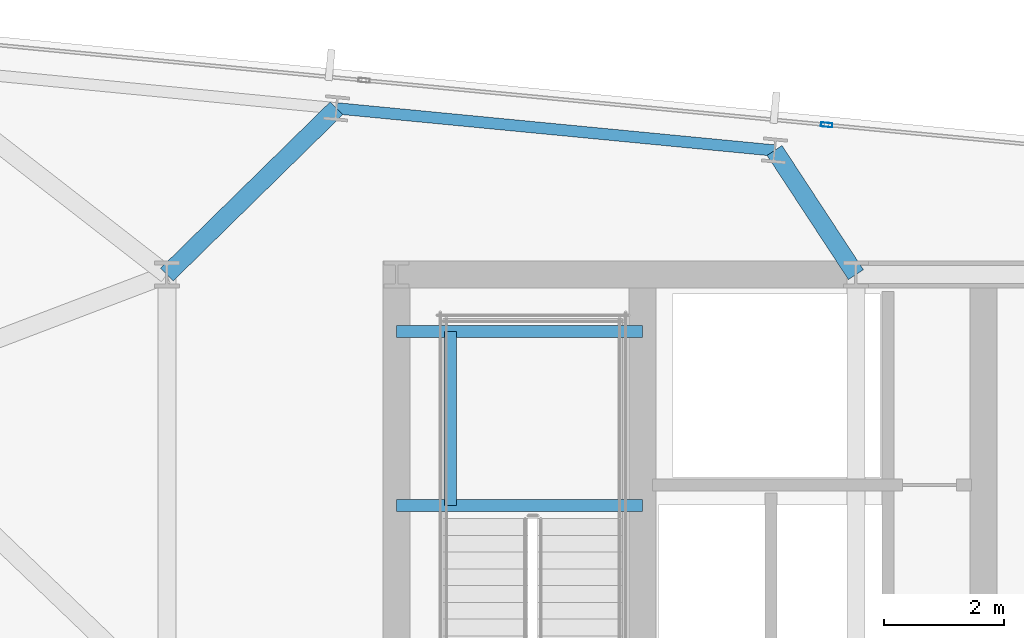
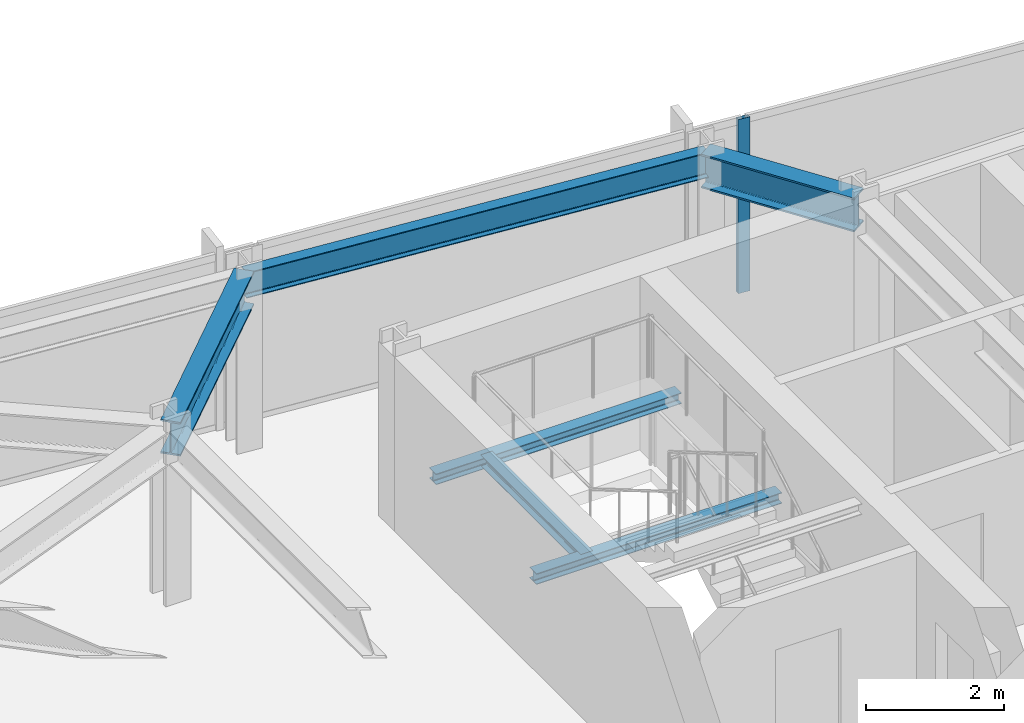
# One storey, part 24 of 37: 6 beams, 1 member, 1 element without a shape of its own.
"""IFC4 building model written with IfcOpenShell, lengths in metres."""

import ifcopenshell
import ifcopenshell.guid

model = None  # the IFC model being written
_history = None  # IfcOwnerHistory: only IFC2X3 demands one
_inside = {}  # id of a spatial element -> (the spatial element, [elements in it])
_under = {}  # id of a project, library or spatial element -> (it, [spatial elements below it])
_declared = {}  # id of a project -> (the project, [libraries it declares])
_typed = {}  # id of a type object -> (the type object, [elements of that type])
_made_of = {}  # id of a material, layer set ... -> (it, [elements and type objects made of it])


def new_model(schema):
    """Start an empty IFC model of exactly this schema.

    Asked for "IFC4X3", IfcOpenShell would pick the latest addendum, in which some entities
    have other attributes; the version numbers below select the first issue.
    IFC2X3 requires an IfcOwnerHistory on every rooted entity: one is made here for all.
    """
    global model, _history
    if schema == "IFC4X3":
        model = ifcopenshell.file(schema_version=(4, 3, 0, 0))
    else:
        model = ifcopenshell.file(schema=schema)
    _inside.clear()
    _under.clear()
    _declared.clear()
    _typed.clear()
    _made_of.clear()
    _history = None
    if model.schema == "IFC2X3":
        org = make("IfcOrganization", Name="unknown")
        user = make(
            "IfcPersonAndOrganization",
            ThePerson=make("IfcPerson", FamilyName="unknown"),
            TheOrganization=org,
        )
        app = make(
            "IfcApplication",
            ApplicationDeveloper=org,
            Version="unknown",
            ApplicationFullName="unknown",
            ApplicationIdentifier="unknown",
        )
        _history = make(
            "IfcOwnerHistory",
            OwningUser=user,
            OwningApplication=app,
            ChangeAction="ADDED",
            CreationDate=0,
        )
    return model


def make(cls, **values):
    """One entity of the class cls with the attributes given. An attribute that is None is left unset."""
    return model.create_entity(
        cls, **{name: value for name, value in values.items() if value is not None}
    )


def rooted(cls, **values):
    """An entity with a GlobalId (a new one), such as an element, a storey or a relation."""
    return make(cls, GlobalId=ifcopenshell.guid.new(), OwnerHistory=_history, **values)


def si_unit(unit_type, name, prefix=None):
    """IfcSIUnit, for example si_unit("LENGTHUNIT", "METRE", prefix="MILLI")."""
    return make("IfcSIUnit", UnitType=unit_type, Prefix=prefix, Name=name)


def assignment(units):
    """IfcUnitAssignment: the units of a project."""
    return None if units is None else make("IfcUnitAssignment", Units=units)


def point(xyz):
    """IfcCartesianPoint."""
    return None if xyz is None else make("IfcCartesianPoint", Coordinates=xyz)


def direction(xyz):
    """IfcDirection."""
    return None if xyz is None else make("IfcDirection", DirectionRatios=xyz)


def frame(location, z_axis=None, x_axis=None):
    """IfcAxis2Placement3D, a coordinate frame: its origin and axes. An axis left out is left unset."""
    return make(
        "IfcAxis2Placement3D",
        Location=point(location),
        Axis=direction(z_axis),
        RefDirection=direction(x_axis),
    )


def frame_2d(location, x_axis=None):
    """IfcAxis2Placement2D, a coordinate frame in the plane: its origin and x axis."""
    return make(
        "IfcAxis2Placement2D", Location=point(location), RefDirection=direction(x_axis)
    )


def origin():
    """The frame at (0, 0, 0) with its axes left unset."""
    return frame((0.0, 0.0, 0.0))


def origin_2d():
    """The frame at (0, 0) in the plane with its x axis left unset."""
    return frame_2d((0.0, 0.0))


def place(relative_to, where):
    """IfcLocalPlacement: puts the frame where relative to a parent placement (None: the world)."""
    return make(
        "IfcLocalPlacement", PlacementRelTo=relative_to, RelativePlacement=where
    )


def context(
    kind, dimensions, precision=None, world=None, true_north=None, identifier=None
):
    """IfcGeometricRepresentationContext, for example the 3D "Model" context."""
    return make(
        "IfcGeometricRepresentationContext",
        ContextIdentifier=identifier,
        ContextType=kind,
        CoordinateSpaceDimension=dimensions,
        Precision=precision,
        WorldCoordinateSystem=world,
        TrueNorth=true_north,
    )


def subcontext(parent, identifier, kind, view, scale=None):
    """IfcGeometricRepresentationSubContext, for example "Body" below "Model"."""
    return make(
        "IfcGeometricRepresentationSubContext",
        ContextIdentifier=identifier,
        ContextType=kind,
        ParentContext=parent,
        TargetScale=scale,
        TargetView=view,
    )


def project(units=None, contexts=None):
    """IfcProject with its units and contexts."""
    return rooted(
        "IfcProject",
        Name="project",
        RepresentationContexts=contexts,
        UnitsInContext=assignment(units),
    )


def spatial(cls, under=None, at=None, **own):
    """A site, building, storey or space (cls), placed at a placement, below another one or the project."""
    s = rooted(cls, ObjectPlacement=at, **own)
    if under is not None:
        _under.setdefault(under.id(), (under, []))[1].append(s)
    return s


def profile(cls, at=None, kind="AREA", **sizes):
    """A parametric profile (cls). Its sizes go by their IFC names, for example OverallWidth=200.0."""
    return make(cls, ProfileType=kind, Position=at, **sizes)


def hollow_rectangle(**sizes):
    """IfcRectangleHollowProfileDef."""
    return profile("IfcRectangleHollowProfileDef", **sizes)


def i_section(**sizes):
    """IfcIShapeProfileDef."""
    return profile("IfcIShapeProfileDef", **sizes)


def extrude(swept, where, along, depth):
    """IfcExtrudedAreaSolid: the profile swept, set in the frame where, extruded along a direction by depth."""
    return make(
        "IfcExtrudedAreaSolid",
        SweptArea=swept,
        Position=where,
        ExtrudedDirection=direction(along),
        Depth=depth,
    )


def shape(context_of_items, identifier, shape_type, items):
    """IfcShapeRepresentation: the items that make up one representation, for example the "Body"."""
    return make(
        "IfcShapeRepresentation",
        ContextOfItems=context_of_items,
        RepresentationIdentifier=identifier,
        RepresentationType=shape_type,
        Items=items,
    )


def material(Name=None, Category=None):
    """IfcMaterial."""
    return make("IfcMaterial", Name=Name, Category=Category)


def material_profile(
    of_material, cross_section, Name=None, Category=None, Priority=None
):
    """IfcMaterialProfile: a cross section and its material."""
    return make(
        "IfcMaterialProfile",
        Name=Name,
        Material=of_material,
        Profile=cross_section,
        Priority=Priority,
        Category=Category,
    )


def profile_set(profiles, Name=None, composite=None):
    """IfcMaterialProfileSet."""
    return make(
        "IfcMaterialProfileSet",
        Name=Name,
        MaterialProfiles=profiles,
        CompositeProfile=composite,
    )


def made_of(thing, what):
    """Note that an element or type object is made of a material, layer set ...; save() writes the relation."""
    if what is not None:
        _made_of.setdefault(what.id(), (what, []))[1].append(thing)
    return thing


def type_object(cls, material=None, **own):
    """A type object (cls), such as IfcWallType, which elements share."""
    return made_of(rooted(cls, **own), material)


def element(
    cls,
    number,
    at=None,
    inside=None,
    cuts=None,
    type_object=None,
    material=None,
    context=None,
    identifier="Body",
    shape_type=None,
    held_by="IfcProductDefinitionShape",
    body=None,
    shapes=None,
    **own,
):
    """One element of the class cls, such as IfcWall. Its Tag is "e" and its number.

    at: its placement. inside: the storey or other place that contains it. cuts: it is an
    opening in that element (IfcRelVoidsElement). A single representation is given by context,
    identifier, shape_type and body (its items); several are given by shapes. held_by: the class
    of the entity that holds the representations. save() writes the other relations.
    """
    e = rooted(cls, Tag="e%d" % number, ObjectPlacement=at, **own)
    if body is not None:
        shapes = [shape(context, identifier, shape_type, body)]
    if shapes is not None:
        e.Representation = make(held_by, Representations=shapes)
    if inside is not None:
        _inside.setdefault(inside.id(), (inside, []))[1].append(e)
    if cuts is not None:
        rooted(
            "IfcRelVoidsElement", RelatingBuildingElement=cuts, RelatedOpeningElement=e
        )
    if type_object is not None:
        _typed.setdefault(type_object.id(), (type_object, []))[1].append(e)
    return made_of(e, material)


def aggregate(whole, parts):
    """IfcRelAggregates: a whole, such as a stair, and the parts it consists of."""
    return rooted("IfcRelAggregates", RelatingObject=whole, RelatedObjects=parts)


def save(model, path):
    """Write the relations noted so far, then the file.

    IfcRelAggregates (storeys below a building ...), IfcRelContainedInSpatialStructure (elements
    in a storey), IfcRelDefinesByType, IfcRelAssociatesMaterial and IfcRelDeclares: one each for
    every whole, place, type object, material and project.
    """
    for whole, parts in _under.values():
        aggregate(whole, parts)
    for where, things in _inside.values():
        rooted(
            "IfcRelContainedInSpatialStructure",
            RelatedElements=things,
            RelatingStructure=where,
        )
    for kind, things in _typed.values():
        rooted("IfcRelDefinesByType", RelatedObjects=things, RelatingType=kind)
    for what, things in _made_of.values():
        rooted("IfcRelAssociatesMaterial", RelatedObjects=things, RelatingMaterial=what)
    for by, libraries in _declared.values():
        rooted("IfcRelDeclares", RelatingContext=by, RelatedDefinitions=libraries)
    model.write(path)


model = new_model("IFC4")

# Units and contexts
model_context = context("Model", 3, precision=1e-05, world=origin(), true_north=direction((0.0, 1.0)))
body_context = subcontext(model_context, "Body", "Model", "MODEL_VIEW")
ifc_project = project(units=[si_unit("LENGTHUNIT", "METRE"), si_unit("AREAUNIT", "SQUARE_METRE"), si_unit("VOLUMEUNIT", "CUBIC_METRE"), si_unit("PLANEANGLEUNIT", "RADIAN"), si_unit("MASSUNIT", "GRAM", prefix="KILO")], contexts=[model_context])

# Site, building, storey
site_placement = place(None, origin())
site = spatial("IfcSite", under=ifc_project, at=site_placement, CompositionType="ELEMENT")
building_placement = place(site_placement, origin())
building = spatial("IfcBuilding", under=site, at=building_placement, Name="Yelkora Congress Tower", CompositionType="ELEMENT")
storey_placement = place(building_placement, frame((0.0, 0.0, 158.89990234375)))
storey = spatial("IfcBuildingStorey", under=building, at=storey_placement, Name="L43", CompositionType="ELEMENT", Elevation=158.89990234375)

# Beams
ifc_material_1 = material(Name="Steel S355J2", Category="steel")
ifc_material_profile_1 = material_profile(ifc_material_1, i_section(OverallWidth=0.300048828125, OverallDepth=0.60009765625, WebThickness=0.015380859375, FlangeThickness=0.030029296875, FilletRadius=0.027099609375, at=origin_2d()), Name="HEB 600")
ifc_profile_set_1 = profile_set([ifc_material_profile_1], Name="Steel S355J2")
beam_type_1 = type_object("IfcBeamType", Name="BM-GIRD-HEB600", PredefinedType="BEAM", material=ifc_profile_set_1)
beam_1_placement = place(storey_placement, frame((22.035400390625, 48.980224609375, 2.780029296875), z_axis=(-0.714019806588, -0.700125500036, 0.0), x_axis=(0.700125500036, -0.714019806588, 0.0)))
element("IfcBeam", 1, at=beam_1_placement, inside=storey, type_object=beam_type_1, Name="L43 Primary Frame Girder N03", PredefinedType="BEAM", context=body_context, shape_type="SweptSolid", body=[
    extrude(i_section(OverallWidth=0.300048828125, OverallDepth=0.60009765625, WebThickness=0.015380859375, FlangeThickness=0.030029296875, FilletRadius=0.027099609375, at=origin_2d()), origin(), (0.0, 0.0, 1.0), 3.97119140625),
])
beam_2_placement = place(storey_placement, frame((29.358642578125, 48.275146484375, 2.780029296875), z_axis=(0.548510321976, -0.8361437835, 0.0), x_axis=(0.8361437835, 0.548510321976, 0.0)))
element("IfcBeam", 2, at=beam_2_placement, inside=storey, type_object=beam_type_1, Name="L43 Primary Frame Girder N04", PredefinedType="BEAM", context=body_context, shape_type="SweptSolid", body=[
    extrude(i_section(OverallWidth=0.300048828125, OverallDepth=0.60009765625, WebThickness=0.015380859375, FlangeThickness=0.030029296875, FilletRadius=0.027099609375, at=origin_2d()), origin(), (0.0, 0.0, 1.0), 2.48193359375),
])
ifc_material_profile_2 = material_profile(ifc_material_1, i_section(OverallWidth=0.199951171875, OverallDepth=0.18994140625, WebThickness=0.006591796875, FlangeThickness=0.010009765625, FilletRadius=0.01806640625, at=origin_2d()), Name="HEA 200")
ifc_profile_set_2 = profile_set([ifc_material_profile_2], Name="Steel S355J2")
beam_type_2 = type_object("IfcBeamType", Name="BM-LAND-HEA200", PredefinedType="BEAM", material=ifc_profile_set_2)
for number, where, z_axis, x_axis, name in (
    (3, (23.0400390625, 42.340087890625, 1.334716796875), (1.0, 0.0, 0.0), (0.0, 1.0, 0.0), "ST-01 L43 Landing Header Beam 1S"),
    (4, (23.0400390625, 45.25, 1.334716796875), (1.0, 0.0, 0.0), (0.0, 1.0, 0.0), "ST-01 L43 Landing Header Beam 1N"),
):
    element("IfcBeam", number, at=place(storey_placement, frame(where, z_axis=z_axis, x_axis=x_axis)), inside=storey, type_object=beam_type_2, Name=name, PredefinedType="BEAM", context=body_context, shape_type="SweptSolid", body=[
        extrude(i_section(OverallWidth=0.199951171875, OverallDepth=0.18994140625, WebThickness=0.006591796875, FlangeThickness=0.010009765625, FilletRadius=0.01806640625, at=origin_2d()), origin(), (0.0, 0.0, 1.0), 4.10986328125),
    ])
beam_3_placement = place(storey_placement, frame((23.93994140625, 42.340087890625, 1.334716796875), z_axis=(0.0, 1.0, 0.0), x_axis=(-1.0, 0.0, 0.0)))
element("IfcBeam", 5, at=beam_3_placement, inside=storey, type_object=beam_type_2, Name="ST-01 L43 Landing Trimmer Beam 1M", PredefinedType="BEAM", context=body_context, shape_type="SweptSolid", body=[
    extrude(i_section(OverallWidth=0.199951171875, OverallDepth=0.18994140625, WebThickness=0.006591796875, FlangeThickness=0.010009765625, FilletRadius=0.01806640625, at=origin_2d()), origin(), (0.0, 0.0, 1.0), 2.909912109375),
])
ifc_material_profile_3 = material_profile(ifc_material_1, i_section(OverallWidth=0.18994140625, OverallDepth=0.449951171875, WebThickness=0.009521484375, FlangeThickness=0.0146484375, FilletRadius=0.02099609375, at=origin_2d()), Name="IPE 450")
ifc_profile_set_3 = profile_set([ifc_material_profile_3], Name="Steel S355J2")
beam_type_3 = type_object("IfcBeamType", Name="BM-SPAN-IPE450", PredefinedType="SPANDREL", material=ifc_profile_set_3)
beam_4_placement = place(storey_placement, frame((29.358642578125, 48.275146484375, 2.85498046875), z_axis=(-0.995397104697, 0.095836339457, 0.0), x_axis=(-0.095836339457, -0.995397104697, 0.0)))
element("IfcBeam", 6, at=beam_4_placement, inside=storey, type_object=beam_type_3, Name="L43 Perimeter Beam 13", PredefinedType="SPANDREL", context=body_context, shape_type="SweptSolid", body=[
    extrude(i_section(OverallWidth=0.18994140625, OverallDepth=0.449951171875, WebThickness=0.009521484375, FlangeThickness=0.0146484375, FilletRadius=0.02099609375, at=origin_2d()), origin(), (0.0, 0.0, 1.0), 7.357177734375),
])

# Curtain wall, member
ifc_material_2 = material(Name="Anodised aluminium and insulated glass", Category="aluminium")
curtain_wall_type = type_object("IfcCurtainWallType", Name="CW-SYS-B3", PredefinedType="NOTDEFINED", material=ifc_material_2)
curtain_wall_placement = place(storey_placement, origin())
curtain_wall = element("IfcCurtainWall", 7, at=curtain_wall_placement, inside=storey, type_object=curtain_wall_type, Name="L43 Unitised Curtain Wall 10 (1)", PredefinedType="NOTDEFINED")
ifc_material_3 = material(Name="Anodised aluminium 6063-T6", Category="aluminium")
ifc_material_profile_4 = material_profile(ifc_material_3, hollow_rectangle(XDim=0.070068359375, YDim=0.18994140625, WallThickness=0.00390625, at=origin_2d()), Name="ALU 70x190x4")
ifc_profile_set_4 = profile_set([ifc_material_profile_4], Name="Anodised aluminium 6063-T6")
member_type = type_object("IfcMemberType", Name="MEM-ML-B3", PredefinedType="MULLION", material=ifc_profile_set_4)
member_placement = place(storey_placement, frame((30.230224609375, 48.70361328125, 0.0), z_axis=(0.0, 0.0, 1.0), x_axis=(0.095844761168, 0.995396293823, 0.0)))
member = element("IfcMember", 8, at=member_placement, type_object=member_type, Name="CW-B3 mullion 4", PredefinedType="MULLION", context=body_context, shape_type="SweptSolid", body=[
    extrude(hollow_rectangle(XDim=0.070068359375, YDim=0.18994140625, WallThickness=0.00390625, at=origin_2d()), origin(), (0.0, 0.0, 1.0), 3.080078125),
])
aggregate(curtain_wall, [member])

save(model, "model.ifc")
